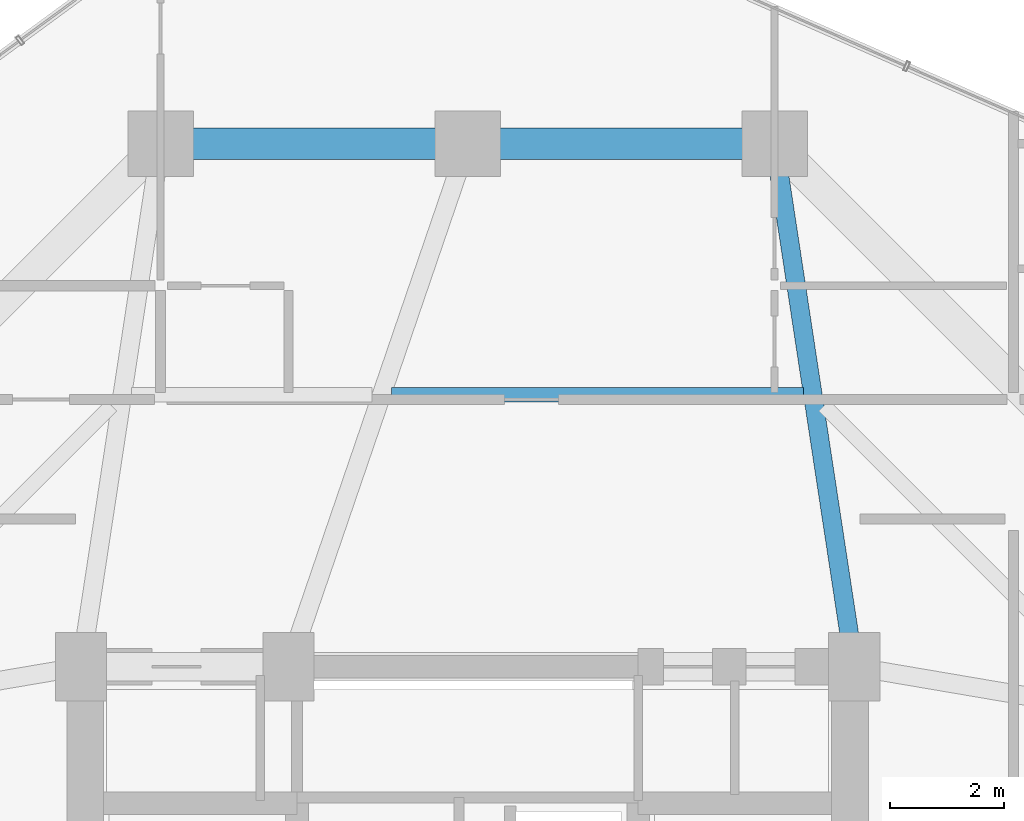
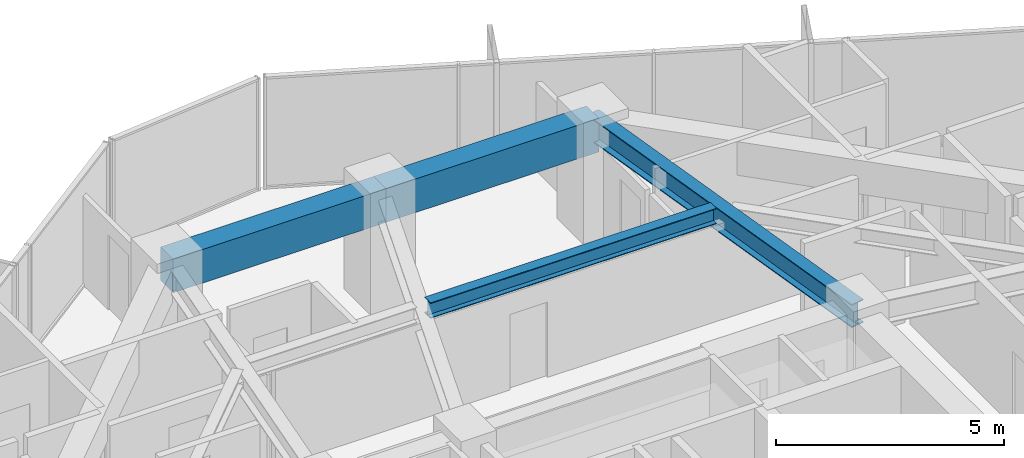
# One storey, part 22 of 34: 4 beams.
"""IFC4 building model written with IfcOpenShell, lengths in metres."""

from ifc_helpers import new_model, si_unit, direction, frame, origin, origin_2d, place, context, subcontext, project, spatial, rectangle, i_section, extrude, material, material_profile, profile_set, type_object, element, save


model = new_model("IFC4")

# Units and contexts
model_context = context("Model", 3, precision=1e-05, world=origin(), true_north=direction((0.0, 1.0)))
body_context = subcontext(model_context, "Body", "Model", "MODEL_VIEW")
ifc_project = project(units=[si_unit("LENGTHUNIT", "METRE"), si_unit("AREAUNIT", "SQUARE_METRE"), si_unit("VOLUMEUNIT", "CUBIC_METRE"), si_unit("PLANEANGLEUNIT", "RADIAN"), si_unit("MASSUNIT", "GRAM", prefix="KILO")], contexts=[model_context])

# Site, building, storey
site_placement = place(None, origin())
site = spatial("IfcSite", under=ifc_project, at=site_placement, CompositionType="ELEMENT")
building_placement = place(site_placement, origin())
building = spatial("IfcBuilding", under=site, at=building_placement, Name="Veraguas Prism Commons", CompositionType="ELEMENT")
storey_placement = place(building_placement, frame((0.0, 0.0, 149.0)))
storey = spatial("IfcBuildingStorey", under=building, at=storey_placement, Name="L42", CompositionType="ELEMENT", Elevation=149.0)

# Beams
ifc_material_1 = material(Name="Steel ASTM A992 Grade 50", Category="steel")
ifc_material_profile_1 = material_profile(ifc_material_1, i_section(OverallWidth=0.260986328125, OverallDepth=0.419921875, WebThickness=0.01171875, FlangeThickness=0.019287109375, at=origin_2d()), Name="W410X114")
ifc_profile_set_1 = profile_set([ifc_material_profile_1], Name="Steel ASTM A992 Grade 50")
beam_type_1 = type_object("IfcBeamType", Name="Lower Floor Joist W410x114", PredefinedType="JOIST", material=ifc_profile_set_1)
beam_1_placement = place(storey_placement, frame((29.908203125, 35.783935546875, 2.7900390625), z_axis=(-1.0, 0.0, 0.0), x_axis=(0.0, -1.0, 0.0)))
element("IfcBeam", 1, at=beam_1_placement, inside=storey, type_object=beam_type_1, Name="Composite Floor Joist L42-JS04", PredefinedType="JOIST", context=body_context, shape_type="SweptSolid", body=[
    extrude(i_section(OverallWidth=0.260986328125, OverallDepth=0.419921875, WebThickness=0.01171875, FlangeThickness=0.019287109375, at=origin_2d()), origin(), (0.0, 0.0, 1.0), 7.2490234375),
])
ifc_material_2 = material(Name="Concrete C50/60", Category="concrete")
ifc_material_profile_2 = material_profile(ifc_material_2, rectangle(XDim=0.550048828125, YDim=0.89990234375, at=origin_2d()), Name="RC550X900")
ifc_profile_set_2 = profile_set([ifc_material_profile_2], Name="Concrete C50/60")
beam_type_2 = type_object("IfcBeamType", Name="Perimeter Spandrel Lower RC 550x900", PredefinedType="SPANDREL", material=ifc_profile_set_2)
for number, where, z_axis, x_axis, name in (
    (2, (29.39990234375, 40.199951171875, 2.550048828125), (-1.0, 0.0, 0.0), (0.0, -1.0, 0.0), "Perimeter Spandrel Beam L42-SP04"),
    (3, (24.0, 40.199951171875, 2.550048828125), (-1.0, 0.0, 0.0), (0.0, -1.0, 0.0), "Perimeter Spandrel Beam L42-SP05"),
):
    element("IfcBeam", number, at=place(storey_placement, frame(where, z_axis=z_axis, x_axis=x_axis)), inside=storey, type_object=beam_type_2, Name=name, PredefinedType="SPANDREL", context=body_context, shape_type="SweptSolid", body=[
        extrude(rectangle(XDim=0.550048828125, YDim=0.89990234375, at=origin_2d()), origin(), (0.0, 0.0, 1.0), 5.39990234375),
    ])
ifc_material_profile_3 = material_profile(ifc_material_1, i_section(OverallWidth=0.327880859375, OverallDepth=0.6220703125, WebThickness=0.015380859375, FlangeThickness=0.0244140625, at=origin_2d()), Name="W610X195")
ifc_profile_set_3 = profile_set([ifc_material_profile_3], Name="Steel ASTM A992 Grade 50")
beam_type_3 = type_object("IfcBeamType", Name="Zone 2 Radial Girder W610x195", PredefinedType="BEAM", material=ifc_profile_set_3)
beam_2_placement = place(storey_placement, frame((29.39990234375, 40.199951171875, 2.68896484375), z_axis=(0.150458162136, -0.98861637729, 0.0), x_axis=(0.98861637729, 0.150458162136, 0.0)))
element("IfcBeam", 4, at=beam_2_placement, inside=storey, type_object=beam_type_3, Name="Radial Floor Girder L42-RD04", PredefinedType="BEAM", context=body_context, shape_type="SweptSolid", body=[
    extrude(i_section(OverallWidth=0.327880859375, OverallDepth=0.6220703125, WebThickness=0.015380859375, FlangeThickness=0.0244140625, at=origin_2d()), origin(), (0.0, 0.0, 1.0), 9.305908203125),
])

save(model, "model.ifc")
